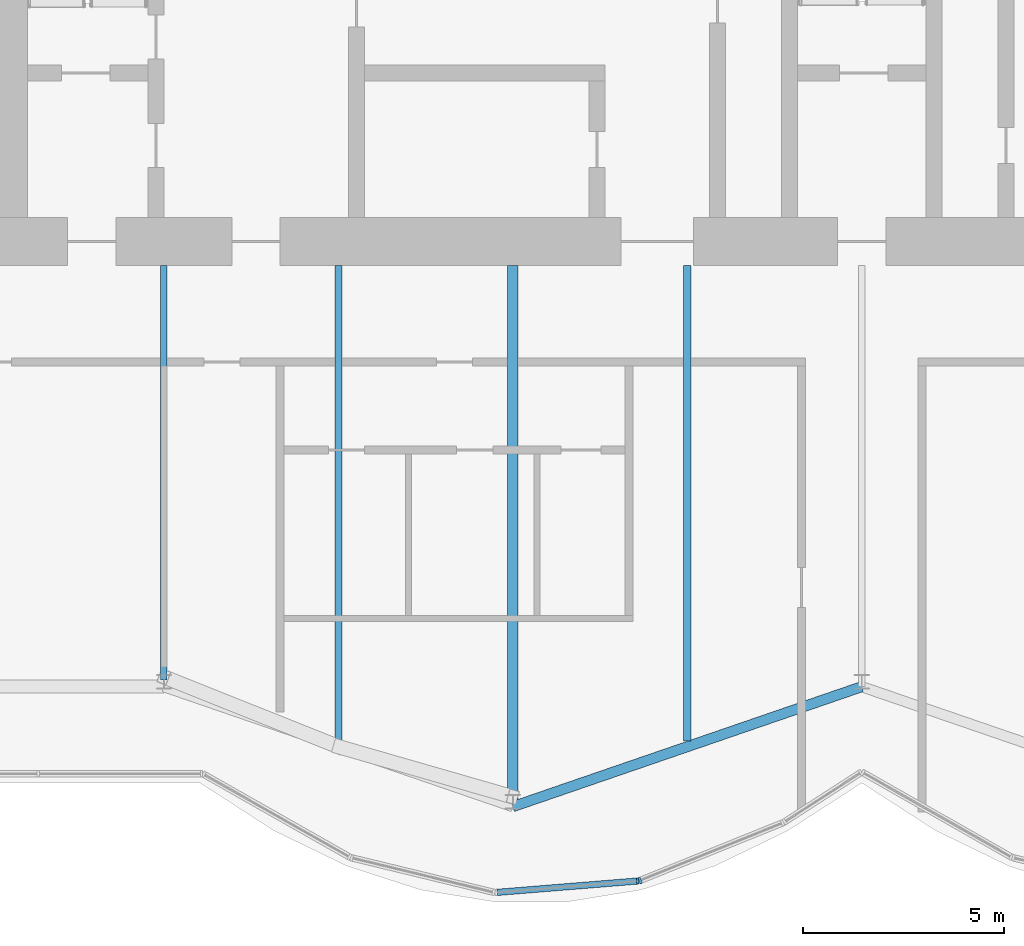
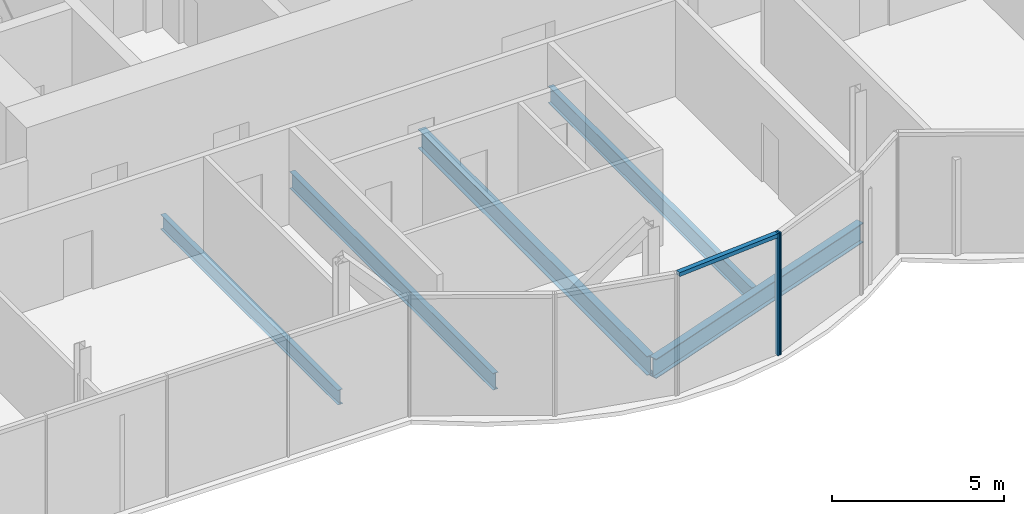
# One storey, part 5 of 17: 5 beams, 3 members, 1 element without a shape of its own.
"""IFC4 building model written with IfcOpenShell, lengths in metres."""

from ifc_helpers import new_model, si_unit, direction, frame, origin, origin_2d, place, context, subcontext, project, spatial, rectangle, i_section, extrude, material, material_profile, profile_set, type_object, element, aggregate, save


model = new_model("IFC4")

# Units and contexts
model_context = context("Model", 3, precision=1e-05, world=origin(), true_north=direction((0.0, 1.0)))
body_context = subcontext(model_context, "Body", "Model", "MODEL_VIEW")
ifc_project = project(units=[si_unit("LENGTHUNIT", "METRE"), si_unit("AREAUNIT", "SQUARE_METRE"), si_unit("VOLUMEUNIT", "CUBIC_METRE"), si_unit("PLANEANGLEUNIT", "RADIAN"), si_unit("MASSUNIT", "GRAM", prefix="KILO")], contexts=[model_context])

# Site, building, storey
site_placement = place(None, origin())
site = spatial("IfcSite", under=ifc_project, at=site_placement, CompositionType="ELEMENT")
building_placement = place(site_placement, origin())
building = spatial("IfcBuilding", under=site, at=building_placement, Name="Bicima Exchange Tower", CompositionType="ELEMENT")
storey_placement = place(building_placement, frame((0.0, 0.0, 320.0)))
storey = spatial("IfcBuildingStorey", under=building, at=storey_placement, Name="L72", CompositionType="ELEMENT", Elevation=320.0)

# Beams
ifc_material_1 = material(Name="Steel ASTM A992 Gr 50", Category="steel")
ifc_material_profile_1 = material_profile(ifc_material_1, i_section(OverallWidth=0.165771484375, OverallDepth=0.5283203125, WebThickness=0.009765625, FlangeThickness=0.013671875, at=origin_2d()))
ifc_profile_set_1 = profile_set([ifc_material_profile_1], Name="Steel ASTM A992 Gr 50")
beam_type_1 = type_object("IfcBeamType", Name="Floor beam W21x50", PredefinedType="JOIST", material=ifc_profile_set_1)
beam_1_placement = place(storey_placement, frame((-17.39990234375, -13.0, -0.414306640625), z_axis=(0.0, -1.0, 0.0), x_axis=(1.0, 0.0, 0.0)))
element("IfcBeam", 1, at=beam_1_placement, inside=storey, type_object=beam_type_1, Name="Floor beam", PredefinedType="JOIST", context=body_context, shape_type="SweptSolid", body=[
    extrude(i_section(OverallWidth=0.165771484375, OverallDepth=0.5283203125, WebThickness=0.009765625, FlangeThickness=0.013671875, at=origin_2d()), origin(), (0.0, 0.0, 1.0), 10.33349609375),
])
ifc_material_profile_2 = material_profile(ifc_material_1, i_section(OverallWidth=0.177978515625, OverallDepth=0.599365234375, WebThickness=0.010009765625, FlangeThickness=0.012939453125, at=origin_2d()))
ifc_profile_set_2 = profile_set([ifc_material_profile_2], Name="Steel ASTM A992 Gr 50")
beam_type_2 = type_object("IfcBeamType", Name="Floor beam W24x55", PredefinedType="JOIST", material=ifc_profile_set_2)
for number, where, z_axis, x_axis, name in (
    (2, (-13.050048828125, -13.0, -0.44970703125), (0.0, -1.0, 0.0), (1.0, 0.0, 0.0), "Floor beam"),
    (3, (-4.35009765625, -13.0, -0.44970703125), (0.0, -1.0, 0.0), (1.0, 0.0, 0.0), "Floor beam"),
):
    element("IfcBeam", number, at=place(storey_placement, frame(where, z_axis=z_axis, x_axis=x_axis)), inside=storey, type_object=beam_type_2, Name=name, PredefinedType="JOIST", context=body_context, shape_type="SweptSolid", body=[
        extrude(i_section(OverallWidth=0.177978515625, OverallDepth=0.599365234375, WebThickness=0.010009765625, FlangeThickness=0.012939453125, at=origin_2d()), origin(), (0.0, 0.0, 1.0), 11.85595703125),
    ])
ifc_material_profile_3 = material_profile(ifc_material_1, i_section(OverallWidth=0.25390625, OverallDepth=0.67822265625, WebThickness=0.01171875, FlangeThickness=0.016357421875, at=origin_2d()))
ifc_profile_set_3 = profile_set([ifc_material_profile_3], Name="Steel ASTM A992 Gr 50")
beam_type_3 = type_object("IfcBeamType", Name="Floor beam W27x84", PredefinedType="JOIST", material=ifc_profile_set_3)
beam_2_placement = place(storey_placement, frame((-8.699951171875, -13.0, -0.489013671875), z_axis=(0.0, -1.0, 0.0), x_axis=(1.0, 0.0, 0.0)))
element("IfcBeam", 4, at=beam_2_placement, inside=storey, type_object=beam_type_3, Name="Floor beam", PredefinedType="JOIST", context=body_context, shape_type="SweptSolid", body=[
    extrude(i_section(OverallWidth=0.25390625, OverallDepth=0.67822265625, WebThickness=0.01171875, FlangeThickness=0.016357421875, at=origin_2d()), origin(), (0.0, 0.0, 1.0), 13.351318359375),
])
ifc_material_profile_4 = material_profile(ifc_material_1, i_section(OverallWidth=0.256591796875, OverallDepth=0.693359375, WebThickness=0.014404296875, FlangeThickness=0.023681640625, at=origin_2d()))
ifc_profile_set_4 = profile_set([ifc_material_profile_4], Name="Steel ASTM A992 Gr 50")
beam_type_4 = type_object("IfcBeamType", Name="Front girder W27x114", PredefinedType="BEAM", material=ifc_profile_set_4)
beam_3_placement = place(storey_placement, frame((-8.699951171875, -26.487060546875, -0.49658203125), z_axis=(0.945674616091, 0.32511462668, 0.0), x_axis=(-0.32511462668, 0.945674616091, 0.0)))
element("IfcBeam", 5, at=beam_3_placement, inside=storey, type_object=beam_type_4, Name="Front girder", PredefinedType="BEAM", context=body_context, shape_type="SweptSolid", body=[
    extrude(i_section(OverallWidth=0.256591796875, OverallDepth=0.693359375, WebThickness=0.014404296875, FlangeThickness=0.023681640625, at=origin_2d()), origin(), (0.0, 0.0, 1.0), 9.19970703125),
])

# Curtain wall, members
ifc_material_2 = material(Name="Anodised bronze aluminium", Category="aluminium")
curtain_wall_type = type_object("IfcCurtainWallType", Name="Front glass wall", PredefinedType="NOTDEFINED", material=ifc_material_2)
curtain_wall_placement = place(storey_placement, origin())
curtain_wall = element("IfcCurtainWall", 6, at=curtain_wall_placement, inside=storey, type_object=curtain_wall_type, Name="Front glass wall L72 run 6", PredefinedType="NOTDEFINED")
ifc_material_profile_5 = material_profile(ifc_material_2, rectangle(XDim=0.159912109375, YDim=0.06005859375, at=origin_2d()))
ifc_profile_set_5 = profile_set([ifc_material_profile_5], Name="Anodised bronze aluminium")
member_type_1 = type_object("IfcMemberType", Name="Front glass wall mullion 60 x 160", PredefinedType="MULLION", material=ifc_profile_set_5)
member_1_placement = place(storey_placement, frame((-5.583984375, -28.3408203125, 0.0), z_axis=(0.0, 0.0, 1.0), x_axis=(-0.080588612633, 0.99674744821, 0.0)))
member_1 = element("IfcMember", 7, at=member_1_placement, type_object=member_type_1, Name="Front glass wall mullion 2", PredefinedType="MULLION", context=body_context, shape_type="SweptSolid", body=[
    extrude(rectangle(XDim=0.159912109375, YDim=0.06005859375, at=origin_2d()), origin(), (0.0, 0.0, 1.0), 4.35009765625),
])
member_2_placement = place(storey_placement, frame((-5.526123046875, -28.3271484375, 0.0), z_axis=(0.0, 0.0, 1.0), x_axis=(-0.374705304, 0.92714396679, 0.0)))
member_2 = element("IfcMember", 8, at=member_2_placement, type_object=member_type_1, Name="Front glass wall mullion 1", PredefinedType="MULLION", context=body_context, shape_type="SweptSolid", body=[
    extrude(rectangle(XDim=0.159912109375, YDim=0.06005859375, at=origin_2d()), origin(), (0.0, 0.0, 1.0), 4.35009765625),
])
ifc_material_profile_6 = material_profile(ifc_material_2, rectangle(XDim=0.159912109375, YDim=0.139892578125, at=origin_2d()))
ifc_profile_set_6 = profile_set([ifc_material_profile_6], Name="Anodised bronze aluminium")
member_type_2 = type_object("IfcMemberType", Name="Front glass wall transom 140 x 160", PredefinedType="USERDEFINED", material=ifc_profile_set_6)
member_3_placement = place(storey_placement, frame((-9.08837890625, -28.624267578125, 4.280029296875), z_axis=(0.9967456465, 0.080610893699, 0.0), x_axis=(-0.080610893699, 0.9967456465, 0.0)))
member_3 = element("IfcMember", 9, at=member_3_placement, type_object=member_type_2, Name="Front glass wall transom 1.1", ObjectType="TRANSOM", PredefinedType="USERDEFINED", context=body_context, shape_type="SweptSolid", body=[
    extrude(rectangle(XDim=0.159912109375, YDim=0.139892578125, at=origin_2d()), origin(), (0.0, 0.0, 1.0), 3.48583984375),
])
aggregate(curtain_wall, [member_1, member_3, member_2])

save(model, "model.ifc")
